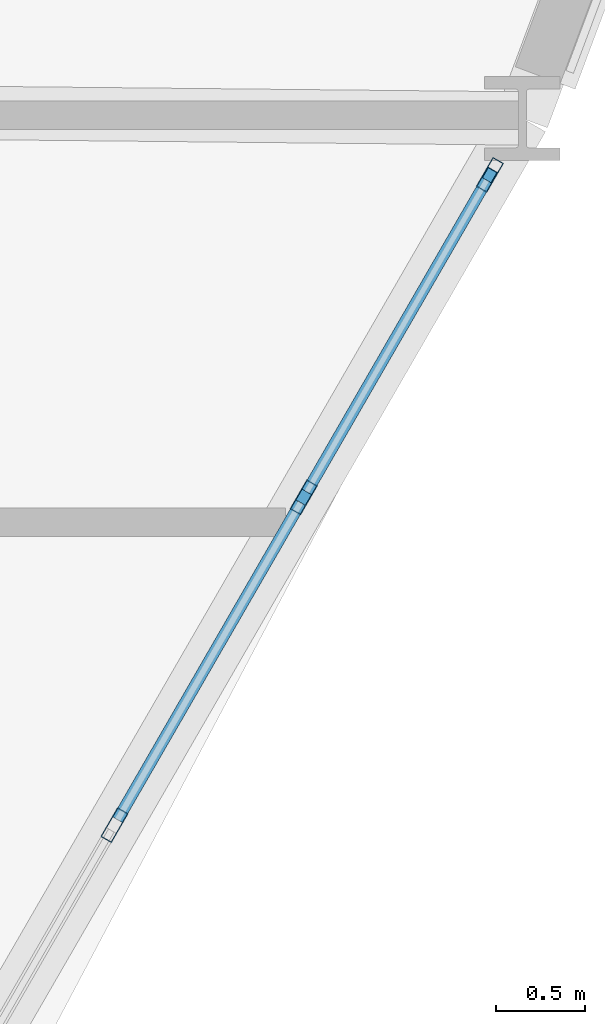
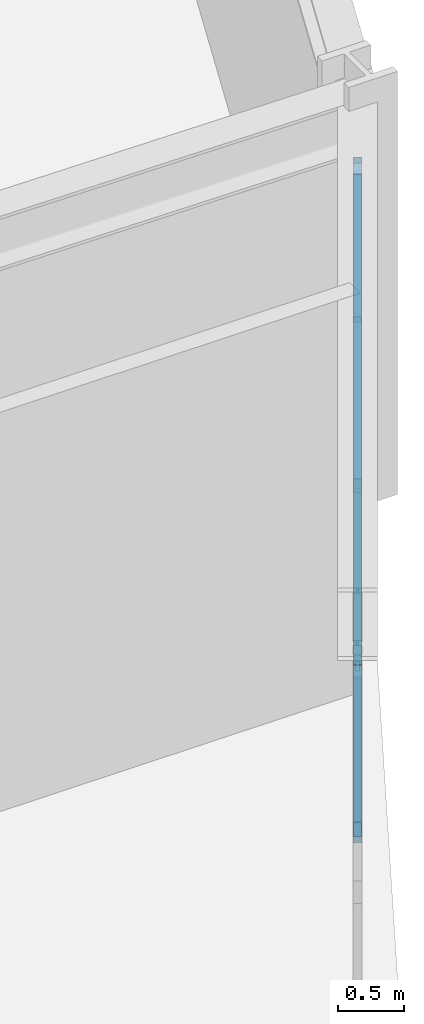
# One storey, part 10 of 22: 8 members, 1 element without a shape of its own.
"""IFC4 building model written with IfcOpenShell, lengths in metres."""

from ifc_helpers import new_model, si_unit, derived_unit, direction, frame, origin, origin_2d, place, context, subcontext, project, spatial, hollow_rectangle, extrude, source, transform, mapped, material, layer, layer_set, material_profile, profile_set, type_object, element, aggregate, save


model = new_model("IFC4")

# Units and contexts
model_context = context("Model", 3, precision=1e-05, world=origin(), true_north=direction((0.0, 1.0)))
body_context = subcontext(model_context, "Body", "Model", "MODEL_VIEW")
ifc_project = project(units=[si_unit("LENGTHUNIT", "METRE"), si_unit("AREAUNIT", "SQUARE_METRE"), si_unit("VOLUMEUNIT", "CUBIC_METRE"), si_unit("PLANEANGLEUNIT", "RADIAN"), si_unit("MASSUNIT", "GRAM", prefix="KILO"), derived_unit("THERMALTRANSMITTANCEUNIT", [(si_unit("POWERUNIT", "WATT"), 1), (si_unit("LENGTHUNIT", "METRE"), -2), (si_unit("THERMODYNAMICTEMPERATUREUNIT", "KELVIN"), -1)])], contexts=[model_context])

# Site, building, storey
site_placement = place(None, origin())
site = spatial("IfcSite", under=ifc_project, at=site_placement, CompositionType="ELEMENT")
building_placement = place(site_placement, origin())
building = spatial("IfcBuilding", under=site, at=building_placement, Name="Korsvarv Bourse and Concert Hall", CompositionType="ELEMENT")
storey_placement = place(building_placement, frame((0.0, 0.0, 51.300048828125)))
storey = spatial("IfcBuildingStorey", under=building, at=storey_placement, Name="L12", CompositionType="ELEMENT", Elevation=51.300048828125)

# Curtain wall, members
ifc_material_1 = material(Name="Anodised aluminium and triple low-E glazing", Category="glass")
ifc_layer = layer(ifc_material_1, 0.219970703125)
ifc_layer_set = layer_set([ifc_layer], Name="Anodised aluminium and triple low-E glazing")
curtain_wall_type = type_object("IfcCurtainWallType", Name="CW-SYS-1", PredefinedType="NOTDEFINED", material=ifc_layer_set)
curtain_wall_placement = place(storey_placement, origin())
curtain_wall = element("IfcCurtainWall", 1, at=curtain_wall_placement, inside=storey, type_object=curtain_wall_type, Name="L12 CW1 curtain wall CW-L12-F11", PredefinedType="NOTDEFINED")
ifc_material_2 = material(Name="Extruded aluminium EN AW-6063 T66", Category="aluminium")
ifc_material_profile_1 = material_profile(ifc_material_2, hollow_rectangle(XDim=0.070068359375, YDim=0.18994140625, WallThickness=0.0048828125, at=origin_2d()), Name="ALU-M 70x190")
ifc_profile_set_1 = profile_set([ifc_material_profile_1], Name="Extruded aluminium EN AW-6063 T66")
member_type_1 = type_object("IfcMemberType", Name="CWM-190", PredefinedType="MULLION", material=ifc_profile_set_1)
shared_shape_1 = source(origin(), body_context, "Body", "SweptSolid", [
    extrude(hollow_rectangle(XDim=0.070068359375, YDim=0.18994140625, WallThickness=0.0048828125, at=origin_2d()), origin(), (0.0, 0.0, 1.0), 3.22998046875),
])
member_1_placement = place(storey_placement, frame((55.68798828125, 28.321533203125, 0.0), z_axis=(0.0, 0.0, 1.0), x_axis=(-0.866025499647, 0.499999833962, 0.0)))
member_1 = element("IfcMember", 2, at=member_1_placement, type_object=member_type_1, Name="CW1 mullion 6", PredefinedType="MULLION", context=body_context, shape_type="MappedRepresentation", body=[
    mapped(shared_shape_1, transform((0.0, 0.0, 0.0), scale=1.0)),
])
member_2_placement = place(storey_placement, frame((56.752685546875, 30.165771484375, 0.0), z_axis=(0.0, 0.0, 1.0), x_axis=(-0.866025499647, 0.499999833962, 0.0)))
member_2 = element("IfcMember", 3, at=member_2_placement, type_object=member_type_1, Name="CW1 mullion 7", PredefinedType="MULLION", context=body_context, shape_type="MappedRepresentation", body=[
    mapped(shared_shape_1, transform((0.0, 0.0, 0.0), scale=1.0)),
])
member_3_placement = place(storey_placement, frame((57.800048828125, 31.979736328125, 0.0), z_axis=(0.0, 0.0, 1.0), x_axis=(-0.866025499647, 0.499999833962, 0.0)))
member_3 = element("IfcMember", 4, at=member_3_placement, type_object=member_type_1, Name="CW1 mullion 8", PredefinedType="MULLION", context=body_context, shape_type="MappedRepresentation", body=[
    mapped(shared_shape_1, transform((0.0, 0.0, 0.0), scale=1.0)),
])
ifc_material_profile_2 = material_profile(ifc_material_2, hollow_rectangle(XDim=0.06494140625, YDim=0.139892578125, WallThickness=0.00390625, at=origin_2d()), Name="ALU-T 65x140")
ifc_profile_set_2 = profile_set([ifc_material_profile_2], Name="Extruded aluminium EN AW-6063 T66")
member_type_2 = type_object("IfcMemberType", Name="CWT-140", PredefinedType="USERDEFINED", material=ifc_profile_set_2)
shared_shape_2 = source(origin(), body_context, "Body", "SweptSolid", [
    extrude(hollow_rectangle(XDim=0.06494140625, YDim=0.139892578125, WallThickness=0.00390625, at=origin_2d()), origin(), (0.0, 0.0, 1.0), 2.024658203125),
])
member_4_placement = place(storey_placement, frame((56.770263671875, 30.196044921875, 0.032470703125), z_axis=(0.499952099219, 0.866053057547, 0.0), x_axis=(-0.866053057547, 0.499952099219, 0.0)))
member_4 = element("IfcMember", 5, at=member_4_placement, type_object=member_type_2, Name="CW1 transom 7.1", ObjectType="TRANSOM", PredefinedType="USERDEFINED", context=body_context, shape_type="MappedRepresentation", body=[
    mapped(shared_shape_2, transform((0.0, 0.0, 0.0), scale=1.0)),
])
member_5_placement = place(storey_placement, frame((56.770263671875, 30.196044921875, 3.197509765625), z_axis=(0.499952099219, 0.866053057547, 0.0), x_axis=(-0.866053057547, 0.499952099219, 0.0)))
member_5 = element("IfcMember", 6, at=member_5_placement, type_object=member_type_2, Name="CW1 transom 7.2", ObjectType="TRANSOM", PredefinedType="USERDEFINED", context=body_context, shape_type="MappedRepresentation", body=[
    mapped(shared_shape_2, transform((0.0, 0.0, 0.0), scale=1.0)),
])
shared_shape_3 = source(origin(), body_context, "Body", "SweptSolid", [
    extrude(hollow_rectangle(XDim=0.06494140625, YDim=0.139892578125, WallThickness=0.00390625, at=origin_2d()), origin(), (0.0, 0.0, 1.0), 2.0595703125),
])
member_6_placement = place(storey_placement, frame((55.70556640625, 28.351806640625, 0.032470703125), z_axis=(0.499989236795, 0.866031617834, 0.0), x_axis=(-0.866031617834, 0.499989236795, 0.0)))
member_6 = element("IfcMember", 7, at=member_6_placement, type_object=member_type_2, Name="CW1 transom 6.1", ObjectType="TRANSOM", PredefinedType="USERDEFINED", context=body_context, shape_type="MappedRepresentation", body=[
    mapped(shared_shape_3, transform((0.0, 0.0, 0.0), scale=1.0)),
])
member_7_placement = place(storey_placement, frame((55.70556640625, 28.351806640625, 3.197509765625), z_axis=(0.499989236795, 0.866031617834, 0.0), x_axis=(-0.866031617834, 0.499989236795, 0.0)))
member_7 = element("IfcMember", 8, at=member_7_placement, type_object=member_type_2, Name="CW1 transom 6.2", ObjectType="TRANSOM", PredefinedType="USERDEFINED", context=body_context, shape_type="MappedRepresentation", body=[
    mapped(shared_shape_3, transform((0.0, 0.0, 0.0), scale=1.0)),
])
ifc_material_profile_3 = material_profile(ifc_material_2, hollow_rectangle(XDim=0.06494140625, YDim=0.1650390625, WallThickness=0.0048828125, at=origin_2d()), Name="ALU-M 65x165")
ifc_profile_set_3 = profile_set([ifc_material_profile_3], Name="Extruded aluminium EN AW-6063 T66")
member_type_3 = type_object("IfcMemberType", Name="CWM-165", PredefinedType="MULLION", material=ifc_profile_set_3)
shared_shape_4 = source(origin(), body_context, "Body", "SweptSolid", [
    extrude(hollow_rectangle(XDim=0.06494140625, YDim=0.1650390625, WallThickness=0.0048828125, at=origin_2d()), origin(), (0.0, 0.0, 1.0), 3.70263671875),
])
member_8_placement = place(storey_placement, frame((56.770263671875, 30.196044921875, 0.06494140625), z_axis=(0.273373412997, 0.473557127869, 0.837263771885), x_axis=(-0.866053057547, 0.499952099219, 0.0)))
member_8 = element("IfcMember", 9, at=member_8_placement, type_object=member_type_3, Name="CW1 diagonal mullion 7", PredefinedType="MULLION", context=body_context, shape_type="MappedRepresentation", body=[
    mapped(shared_shape_4, transform((0.0, 0.0, 0.0), scale=1.0)),
])
aggregate(curtain_wall, [member_1, member_2, member_3, member_6, member_7, member_4, member_5, member_8])

save(model, "model.ifc")
